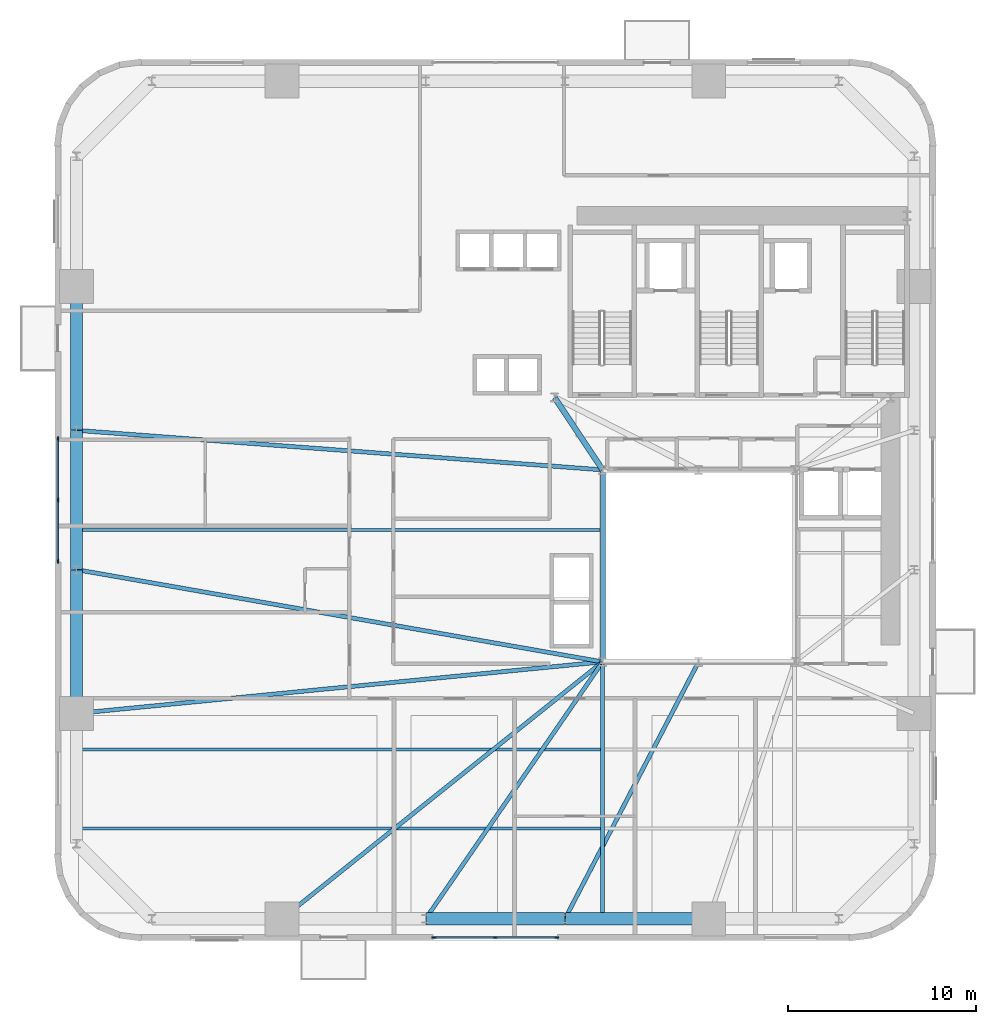
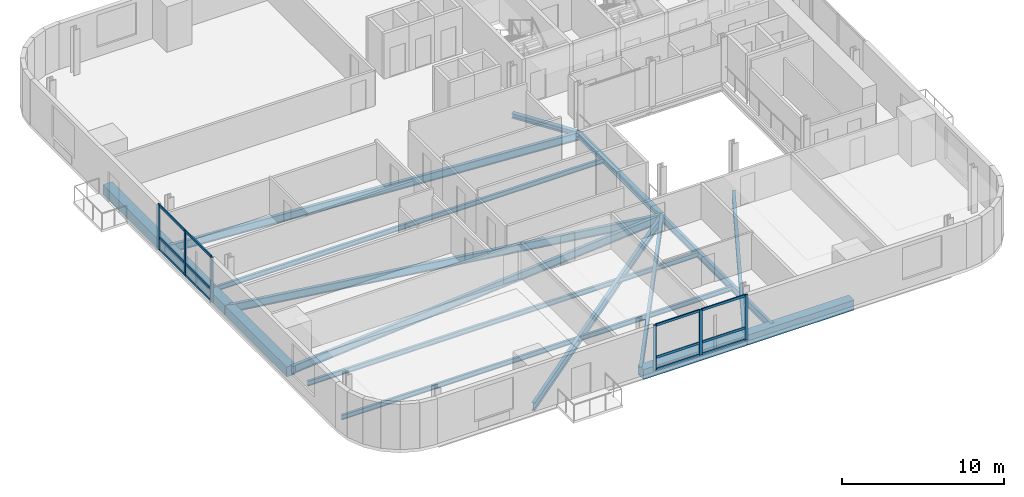
# One storey, part 2 of 13: 18 members, 17 beams, 2 elements without a shape of their own.
"""IFC4 building model written with IfcOpenShell, lengths in metres."""

from ifc_helpers import new_model, si_unit, direction, frame, origin, origin_2d, place, context, subcontext, project, spatial, rectangle, i_section, extrude, source, transform, mapped, material, material_profile, profile_set, type_object, element, aggregate, save


model = new_model("IFC4")

# Units and contexts
model_context = context("Model", 3, precision=1e-05, world=origin(), true_north=direction((0.0, 1.0)))
body_context = subcontext(model_context, "Body", "Model", "MODEL_VIEW")
ifc_project = project(units=[si_unit("LENGTHUNIT", "METRE"), si_unit("AREAUNIT", "SQUARE_METRE"), si_unit("VOLUMEUNIT", "CUBIC_METRE"), si_unit("PLANEANGLEUNIT", "RADIAN"), si_unit("MASSUNIT", "GRAM", prefix="KILO")], contexts=[model_context])

# Site, building, storey
site_placement = place(None, origin())
site = spatial("IfcSite", under=ifc_project, at=site_placement, CompositionType="ELEMENT")
building_placement = place(site_placement, origin())
building = spatial("IfcBuilding", under=site, at=building_placement, Name="Vardaveli Station Tower", CompositionType="ELEMENT")
storey_placement = place(building_placement, frame((0.0, 0.0, 34.89990234375)))
storey = spatial("IfcBuildingStorey", under=building, at=storey_placement, Name="L08", CompositionType="ELEMENT", Elevation=34.89990234375)

# Beams
ifc_material_1 = material(Name="Structural steel S355J2", Category="steel")
ifc_material_profile_1 = material_profile(ifc_material_1, i_section(OverallWidth=0.300048828125, OverallDepth=0.449951171875, WebThickness=0.013916015625, FlangeThickness=0.02587890625, FilletRadius=0.027099609375, at=origin_2d()), Name="HEB 450")
ifc_profile_set_1 = profile_set([ifc_material_profile_1], Name="Structural steel S355J2")
beam_type_1 = type_object("IfcBeamType", Name="BM-HEB450", PredefinedType="BEAM", material=ifc_profile_set_1)
shared_shape_1 = source(origin(), body_context, "Body", "SweptSolid", [
    extrude(i_section(OverallWidth=0.300048828125, OverallDepth=0.449951171875, WebThickness=0.013916015625, FlangeThickness=0.02587890625, FilletRadius=0.027099609375, at=origin_2d()), origin(), (0.0, 0.0, 1.0), 10.159912109375),
])
beam_1_placement = place(storey_placement, frame((31.199951171875, 26.780029296875, -0.46484375), z_axis=(0.0, -1.0, 0.0), x_axis=(1.0, 0.0, 0.0)))
element("IfcBeam", 1, at=beam_1_placement, inside=storey, type_object=beam_type_1, Name="ABM-L08-06", PredefinedType="BEAM", context=body_context, shape_type="MappedRepresentation", body=[
    mapped(shared_shape_1, transform((0.0, 0.0, 0.0), scale=1.0)),
])
ifc_material_profile_2 = material_profile(ifc_material_1, i_section(OverallWidth=0.300048828125, OverallDepth=0.360107421875, WebThickness=0.012451171875, FlangeThickness=0.0224609375, FilletRadius=0.027099609375, at=origin_2d()), Name="HEB 360")
ifc_profile_set_2 = profile_set([ifc_material_profile_2], Name="Structural steel S355J2")
beam_type_2 = type_object("IfcBeamType", Name="BM-HEB360", PredefinedType="BEAM", material=ifc_profile_set_2)
shared_shape_2 = source(origin(), body_context, "Body", "SweptSolid", [
    extrude(i_section(OverallWidth=0.300048828125, OverallDepth=0.360107421875, WebThickness=0.012451171875, FlangeThickness=0.0224609375, FilletRadius=0.027099609375, at=origin_2d()), origin(), (0.0, 0.0, 1.0), 4.577880859375),
])
beam_2_placement = place(storey_placement, frame((31.18896484375, 26.816650390625, -0.419921875), z_axis=(-0.55218702139, 0.833720272879, 0.0), x_axis=(-0.833720272879, -0.55218702139, 0.0)))
element("IfcBeam", 2, at=beam_2_placement, inside=storey, type_object=beam_type_2, Name="CBM-L08-01", PredefinedType="BEAM", context=body_context, shape_type="MappedRepresentation", body=[
    mapped(shared_shape_2, transform((0.0, 0.0, 0.0), scale=1.0)),
])
ifc_material_2 = material(Name="Precast concrete C45/55", Category="concrete")
ifc_material_profile_3 = material_profile(ifc_material_2, rectangle(XDim=0.64990234375, YDim=0.75, at=origin_2d()), Name="LPB 650x750")
ifc_profile_set_3 = profile_set([ifc_material_profile_3], Name="Precast concrete C45/55")
beam_type_3 = type_object("IfcBeamType", Name="BM-LPB-750", PredefinedType="BEAM", material=ifc_profile_set_3)
shared_shape_3 = source(origin(), body_context, "Body", "SweptSolid", [
    extrude(rectangle(XDim=0.64990234375, YDim=0.75, at=origin_2d()), origin(), (0.0, 0.0, 1.0), 7.60009765625),
])
for number, where, z_axis, x_axis, name in (
    (3, (29.219970703125, 2.949951171875, -0.614990234375), (1.0, 0.0, 0.0), (0.0, 1.0, 0.0), "RBM-L08-03"),
    (4, (3.25, 36.52001953125, -0.614990234375), (0.0, -1.0, 0.0), (1.0, 0.0, 0.0), "RBM-L08-19"),
    (5, (3.25, 21.47998046875, -0.614990234375), (0.0, -1.0, 0.0), (1.0, 0.0, 0.0), "RBM-L08-21"),
):
    element("IfcBeam", number, at=place(storey_placement, frame(where, z_axis=z_axis, x_axis=x_axis)), inside=storey, type_object=beam_type_3, Name=name, PredefinedType="BEAM", context=body_context, shape_type="MappedRepresentation", body=[
        mapped(shared_shape_3, transform((0.0, 0.0, 0.0), scale=1.0)),
    ])
shared_shape_4 = source(origin(), body_context, "Body", "SweptSolid", [
    extrude(rectangle(XDim=0.64990234375, YDim=0.75, at=origin_2d()), origin(), (0.0, 0.0, 1.0), 7.35986328125),
])
for number, where, z_axis, x_axis, name in (
    (6, (21.820068359375, 2.949951171875, -0.614990234375), (1.0, 0.0, 0.0), (0.0, 1.0, 0.0), "RBM-L08-02"),
    (7, (3.25, 28.8798828125, -0.614990234375), (0.0, -1.0, 0.0), (1.0, 0.0, 0.0), "RBM-L08-20"),
):
    element("IfcBeam", number, at=place(storey_placement, frame(where, z_axis=z_axis, x_axis=x_axis)), inside=storey, type_object=beam_type_3, Name=name, PredefinedType="BEAM", context=body_context, shape_type="MappedRepresentation", body=[
        mapped(shared_shape_4, transform((0.0, 0.0, 0.0), scale=1.0)),
    ])
ifc_material_profile_4 = material_profile(ifc_material_1, i_section(OverallWidth=0.219970703125, OverallDepth=0.60009765625, WebThickness=0.011962890625, FlangeThickness=0.01904296875, FilletRadius=0.02392578125, at=origin_2d()), Name="IPE 600")
ifc_profile_set_4 = profile_set([ifc_material_profile_4], Name="Structural steel S355J2")
beam_type_4 = type_object("IfcBeamType", Name="BM-IPE600", PredefinedType="BEAM", material=ifc_profile_set_4)
shared_shape_5 = source(origin(), body_context, "Body", "SweptSolid", [
    extrude(i_section(OverallWidth=0.219970703125, OverallDepth=0.60009765625, WebThickness=0.011962890625, FlangeThickness=0.01904296875, FilletRadius=0.02392578125, at=origin_2d()), origin(), (0.0, 0.0, 1.0), 21.793212890625),
])
beam_3_placement = place(storey_placement, frame((14.175537109375, 2.96240234375, -0.539794921875), z_axis=(0.780466445023, 0.625197671296, 0.0), x_axis=(-0.625197671296, 0.780466445023, 0.0)))
element("IfcBeam", 8, at=beam_3_placement, inside=storey, type_object=beam_type_4, Name="GBM-L08-01", PredefinedType="BEAM", context=body_context, shape_type="MappedRepresentation", body=[
    mapped(shared_shape_5, transform((0.0, 0.0, 0.0), scale=1.0)),
])
shared_shape_6 = source(origin(), body_context, "Body", "SweptSolid", [
    extrude(i_section(OverallWidth=0.219970703125, OverallDepth=0.60009765625, WebThickness=0.011962890625, FlangeThickness=0.01904296875, FilletRadius=0.02392578125, at=origin_2d()), origin(), (0.0, 0.0, 1.0), 16.533447265625),
])
beam_4_placement = place(storey_placement, frame((21.811279296875, 2.966552734375, -0.539794921875), z_axis=(0.567177272103, 0.823595739431, 0.0), x_axis=(-0.823595739431, 0.567177272103, 0.0)))
element("IfcBeam", 9, at=beam_4_placement, inside=storey, type_object=beam_type_4, Name="GBM-L08-02", PredefinedType="BEAM", context=body_context, shape_type="MappedRepresentation", body=[
    mapped(shared_shape_6, transform((0.0, 0.0, 0.0), scale=1.0)),
])
shared_shape_7 = source(origin(), body_context, "Body", "SweptSolid", [
    extrude(i_section(OverallWidth=0.219970703125, OverallDepth=0.60009765625, WebThickness=0.011962890625, FlangeThickness=0.01904296875, FilletRadius=0.02392578125, at=origin_2d()), origin(), (0.0, 0.0, 1.0), 15.34619140625),
])
beam_5_placement = place(storey_placement, frame((29.209228515625, 2.9677734375, -0.539794921875), z_axis=(0.461455420507, 0.887163398075, 0.0), x_axis=(-0.887163398075, 0.461455420507, 0.0)))
element("IfcBeam", 10, at=beam_5_placement, inside=storey, type_object=beam_type_4, Name="GBM-L08-03", PredefinedType="BEAM", context=body_context, shape_type="MappedRepresentation", body=[
    mapped(shared_shape_7, transform((0.0, 0.0, 0.0), scale=1.0)),
])
shared_shape_8 = source(origin(), body_context, "Body", "SweptSolid", [
    extrude(i_section(OverallWidth=0.219970703125, OverallDepth=0.60009765625, WebThickness=0.011962890625, FlangeThickness=0.01904296875, FilletRadius=0.02392578125, at=origin_2d()), origin(), (0.0, 0.0, 1.0), 27.98876953125),
])
beam_6_placement = place(storey_placement, frame((3.27001953125, 28.8984375, -0.539794921875), z_axis=(0.99718954315, -0.074920057611, 0.0), x_axis=(0.074920057611, 0.99718954315, 0.0)))
element("IfcBeam", 11, at=beam_6_placement, inside=storey, type_object=beam_type_4, Name="GBM-L08-08", PredefinedType="BEAM", context=body_context, shape_type="MappedRepresentation", body=[
    mapped(shared_shape_8, transform((0.0, 0.0, 0.0), scale=1.0)),
])
shared_shape_9 = source(origin(), body_context, "Body", "SweptSolid", [
    extrude(i_section(OverallWidth=0.219970703125, OverallDepth=0.60009765625, WebThickness=0.011962890625, FlangeThickness=0.01904296875, FilletRadius=0.02392578125, at=origin_2d()), origin(), (0.0, 0.0, 1.0), 28.33642578125),
])
beam_7_placement = place(storey_placement, frame((3.269775390625, 21.49658203125, -0.539794921875), z_axis=(0.984978267336, -0.172678350921, 0.0), x_axis=(0.172678350921, 0.984978267336, 0.0)))
element("IfcBeam", 12, at=beam_7_placement, inside=storey, type_object=beam_type_4, Name="GBM-L08-09", PredefinedType="BEAM", context=body_context, shape_type="MappedRepresentation", body=[
    mapped(shared_shape_9, transform((0.0, 0.0, 0.0), scale=1.0)),
])
shared_shape_10 = source(origin(), body_context, "Body", "SweptSolid", [
    extrude(i_section(OverallWidth=0.219970703125, OverallDepth=0.60009765625, WebThickness=0.011962890625, FlangeThickness=0.01904296875, FilletRadius=0.02392578125, at=origin_2d()), origin(), (0.0, 0.0, 1.0), 28.0439453125),
])
beam_8_placement = place(storey_placement, frame((3.27001953125, 13.862060546875, -0.539794921875), z_axis=(0.995229237856, 0.097564153855, 0.0), x_axis=(-0.097564153855, 0.995229237856, 0.0)))
element("IfcBeam", 13, at=beam_8_placement, inside=storey, type_object=beam_type_4, Name="GBM-L08-10", PredefinedType="BEAM", context=body_context, shape_type="MappedRepresentation", body=[
    mapped(shared_shape_10, transform((0.0, 0.0, 0.0), scale=1.0)),
])
ifc_material_profile_5 = material_profile(ifc_material_1, i_section(OverallWidth=0.2099609375, OverallDepth=0.550048828125, WebThickness=0.010986328125, FlangeThickness=0.01708984375, FilletRadius=0.02392578125, at=origin_2d()), Name="IPE 550")
ifc_profile_set_5 = profile_set([ifc_material_profile_5], Name="Structural steel S355J2")
beam_type_5 = type_object("IfcBeamType", Name="BM-IPE550", PredefinedType="BEAM", material=ifc_profile_set_5)
shared_shape_11 = source(origin(), body_context, "Body", "SweptSolid", [
    extrude(i_section(OverallWidth=0.2099609375, OverallDepth=0.550048828125, WebThickness=0.010986328125, FlangeThickness=0.01708984375, FilletRadius=0.02392578125, at=origin_2d()), origin(), (0.0, 0.0, 1.0), 13.469970703125),
])
beam_9_placement = place(storey_placement, frame((31.199951171875, 2.989990234375, -0.514892578125), z_axis=(0.0, 1.0, 0.0), x_axis=(-1.0, 0.0, 0.0)))
element("IfcBeam", 14, at=beam_9_placement, inside=storey, type_object=beam_type_5, Name="NSM-L08-S1", PredefinedType="BEAM", context=body_context, shape_type="MappedRepresentation", body=[
    mapped(shared_shape_11, transform((0.0, 0.0, 0.0), scale=1.0)),
])
ifc_material_profile_6 = material_profile(ifc_material_1, i_section(OverallWidth=0.169921875, OverallDepth=0.360107421875, WebThickness=0.008056640625, FlangeThickness=0.0126953125, FilletRadius=0.01806640625, at=origin_2d()), Name="IPE 360")
ifc_profile_set_6 = profile_set([ifc_material_profile_6], Name="Structural steel S355J2")
beam_type_6 = type_object("IfcBeamType", Name="BM-IPE360", PredefinedType="JOIST", material=ifc_profile_set_6)
shared_shape_12 = source(origin(), body_context, "Body", "SweptSolid", [
    extrude(i_section(OverallWidth=0.169921875, OverallDepth=0.360107421875, WebThickness=0.008056640625, FlangeThickness=0.0126953125, FilletRadius=0.01806640625, at=origin_2d()), origin(), (0.0, 0.0, 1.0), 27.7978515625),
])
for number, where, z_axis, x_axis, name in (
    (15, (3.2900390625, 7.75, -0.419921875), (1.0, 0.0, 0.0), (0.0, 1.0, 0.0), "SJ-L08-S01"),
    (16, (3.2900390625, 11.949951171875, -0.419921875), (1.0, 0.0, 0.0), (0.0, 1.0, 0.0), "SJ-L08-S04"),
    (17, (3.2900390625, 23.60009765625, -0.419921875), (1.0, 0.0, 0.0), (0.0, 1.0, 0.0), "SJ-L08-W08"),
):
    element("IfcBeam", number, at=place(storey_placement, frame(where, z_axis=z_axis, x_axis=x_axis)), inside=storey, type_object=beam_type_6, Name=name, PredefinedType="JOIST", context=body_context, shape_type="MappedRepresentation", body=[
        mapped(shared_shape_12, transform((0.0, 0.0, 0.0), scale=1.0)),
    ])

# Curtain wall, members
ifc_material_3 = material(Name="Travertine stone and solar-control glass", Category="masonry")
curtain_wall_type = type_object("IfcCurtainWallType", Name="CW-SYS-2", PredefinedType="NOTDEFINED", material=ifc_material_3)
curtain_wall_1_placement = place(storey_placement, origin())
curtain_wall_1 = element("IfcCurtainWall", 18, at=curtain_wall_1_placement, inside=storey, type_object=curtain_wall_type, Name="CW-L08-S", PredefinedType="NOTDEFINED")
ifc_material_4 = material(Name="Anodised aluminium alloy 6063-T6", Category="aluminium")
ifc_material_profile_7 = material_profile(ifc_material_4, rectangle(XDim=0.0849609375, YDim=0.179931640625, at=origin_2d()), Name="CWT 85x180")
ifc_profile_set_7 = profile_set([ifc_material_profile_7], Name="Anodised aluminium alloy 6063-T6")
member_type_1 = type_object("IfcMemberType", Name="CW-SYS-2-TRAN", PredefinedType="NOTDEFINED", material=ifc_profile_set_7)
shared_shape_13 = source(origin(), body_context, "Body", "SweptSolid", [
    extrude(rectangle(XDim=0.0849609375, YDim=0.179931640625, at=origin_2d()), origin(), (0.0, 0.0, 1.0), 3.172607421875),
])
member_1_placement = place(storey_placement, frame((22.284912109375, 1.9599609375, 0.04248046875), z_axis=(1.0, 0.0, 0.0), x_axis=(0.0, 1.0, 0.0)))
member_1 = element("IfcMember", 19, at=member_1_placement, type_object=member_type_1, Name="CW-2 transom 1.1", ObjectType="TRANSOM", PredefinedType="USERDEFINED", context=body_context, shape_type="MappedRepresentation", body=[
    mapped(shared_shape_13, transform((0.0, 0.0, 0.0), scale=1.0)),
])
member_2_placement = place(storey_placement, frame((22.284912109375, 1.9599609375, 0.9501953125), z_axis=(1.0, 0.0, 0.0), x_axis=(0.0, 1.0, 0.0)))
member_2 = element("IfcMember", 20, at=member_2_placement, type_object=member_type_1, Name="CW-2 transom 1.2", ObjectType="TRANSOM", PredefinedType="USERDEFINED", context=body_context, shape_type="MappedRepresentation", body=[
    mapped(shared_shape_13, transform((0.0, 0.0, 0.0), scale=1.0)),
])
member_3_placement = place(storey_placement, frame((22.284912109375, 1.9599609375, 3.36767578125), z_axis=(1.0, 0.0, 0.0), x_axis=(0.0, 1.0, 0.0)))
member_3 = element("IfcMember", 21, at=member_3_placement, type_object=member_type_1, Name="CW-2 transom 1.3", ObjectType="TRANSOM", PredefinedType="USERDEFINED", context=body_context, shape_type="MappedRepresentation", body=[
    mapped(shared_shape_13, transform((0.0, 0.0, 0.0), scale=1.0)),
])
member_4_placement = place(storey_placement, frame((25.54248046875, 1.9599609375, 0.04248046875), z_axis=(1.0, 0.0, 0.0), x_axis=(0.0, 1.0, 0.0)))
member_4 = element("IfcMember", 22, at=member_4_placement, type_object=member_type_1, Name="CW-2 transom 2.1", ObjectType="TRANSOM", PredefinedType="USERDEFINED", context=body_context, shape_type="MappedRepresentation", body=[
    mapped(shared_shape_13, transform((0.0, 0.0, 0.0), scale=1.0)),
])
member_5_placement = place(storey_placement, frame((25.54248046875, 1.9599609375, 0.9501953125), z_axis=(1.0, 0.0, 0.0), x_axis=(0.0, 1.0, 0.0)))
member_5 = element("IfcMember", 23, at=member_5_placement, type_object=member_type_1, Name="CW-2 transom 2.2", ObjectType="TRANSOM", PredefinedType="USERDEFINED", context=body_context, shape_type="MappedRepresentation", body=[
    mapped(shared_shape_13, transform((0.0, 0.0, 0.0), scale=1.0)),
])
member_6_placement = place(storey_placement, frame((25.54248046875, 1.9599609375, 3.36767578125), z_axis=(1.0, 0.0, 0.0), x_axis=(0.0, 1.0, 0.0)))
member_6 = element("IfcMember", 24, at=member_6_placement, type_object=member_type_1, Name="CW-2 transom 2.3", ObjectType="TRANSOM", PredefinedType="USERDEFINED", context=body_context, shape_type="MappedRepresentation", body=[
    mapped(shared_shape_13, transform((0.0, 0.0, 0.0), scale=1.0)),
])

curtain_wall_2_placement = place(storey_placement, origin())
curtain_wall_2 = element("IfcCurtainWall", 25, at=curtain_wall_2_placement, inside=storey, type_object=curtain_wall_type, Name="CW-L08-W", PredefinedType="NOTDEFINED")
member_7_placement = place(storey_placement, frame((2.260009765625, 28.4150390625, 0.04248046875), z_axis=(0.0, -1.0, 0.0), x_axis=(1.0, 0.0, 0.0)))
member_7 = element("IfcMember", 26, at=member_7_placement, type_object=member_type_1, Name="CW-2 transom 1.1", ObjectType="TRANSOM", PredefinedType="USERDEFINED", context=body_context, shape_type="MappedRepresentation", body=[
    mapped(shared_shape_13, transform((0.0, 0.0, 0.0), scale=1.0)),
])
member_8_placement = place(storey_placement, frame((2.260009765625, 28.4150390625, 0.9501953125), z_axis=(0.0, -1.0, 0.0), x_axis=(1.0, 0.0, 0.0)))
member_8 = element("IfcMember", 27, at=member_8_placement, type_object=member_type_1, Name="CW-2 transom 1.2", ObjectType="TRANSOM", PredefinedType="USERDEFINED", context=body_context, shape_type="MappedRepresentation", body=[
    mapped(shared_shape_13, transform((0.0, 0.0, 0.0), scale=1.0)),
])
member_9_placement = place(storey_placement, frame((2.260009765625, 28.4150390625, 3.36767578125), z_axis=(0.0, -1.0, 0.0), x_axis=(1.0, 0.0, 0.0)))
member_9 = element("IfcMember", 28, at=member_9_placement, type_object=member_type_1, Name="CW-2 transom 1.3", ObjectType="TRANSOM", PredefinedType="USERDEFINED", context=body_context, shape_type="MappedRepresentation", body=[
    mapped(shared_shape_13, transform((0.0, 0.0, 0.0), scale=1.0)),
])
shared_shape_14 = source(origin(), body_context, "Body", "SweptSolid", [
    extrude(rectangle(XDim=0.0849609375, YDim=0.179931640625, at=origin_2d()), origin(), (0.0, 0.0, 1.0), 3.17236328125),
])
member_10_placement = place(storey_placement, frame((2.260009765625, 25.157470703125, 0.04248046875), z_axis=(0.0, -1.0, 0.0), x_axis=(1.0, 0.0, 0.0)))
member_10 = element("IfcMember", 29, at=member_10_placement, type_object=member_type_1, Name="CW-2 transom 2.1", ObjectType="TRANSOM", PredefinedType="USERDEFINED", context=body_context, shape_type="MappedRepresentation", body=[
    mapped(shared_shape_14, transform((0.0, 0.0, 0.0), scale=1.0)),
])
member_11_placement = place(storey_placement, frame((2.260009765625, 25.157470703125, 0.9501953125), z_axis=(0.0, -1.0, 0.0), x_axis=(1.0, 0.0, 0.0)))
member_11 = element("IfcMember", 30, at=member_11_placement, type_object=member_type_1, Name="CW-2 transom 2.2", ObjectType="TRANSOM", PredefinedType="USERDEFINED", context=body_context, shape_type="MappedRepresentation", body=[
    mapped(shared_shape_14, transform((0.0, 0.0, 0.0), scale=1.0)),
])
member_12_placement = place(storey_placement, frame((2.260009765625, 25.157470703125, 3.36767578125), z_axis=(0.0, -1.0, 0.0), x_axis=(1.0, 0.0, 0.0)))
member_12 = element("IfcMember", 31, at=member_12_placement, type_object=member_type_1, Name="CW-2 transom 2.3", ObjectType="TRANSOM", PredefinedType="USERDEFINED", context=body_context, shape_type="MappedRepresentation", body=[
    mapped(shared_shape_14, transform((0.0, 0.0, 0.0), scale=1.0)),
])

# Member
ifc_material_profile_8 = material_profile(ifc_material_4, rectangle(XDim=0.0849609375, YDim=0.219970703125, at=origin_2d()), Name="CWM 85x220")
ifc_profile_set_8 = profile_set([ifc_material_profile_8], Name="Anodised aluminium alloy 6063-T6")
member_type_2 = type_object("IfcMemberType", Name="CW-SYS-2-MULL", PredefinedType="MULLION", material=ifc_profile_set_8)
shared_shape_15 = source(origin(), body_context, "Body", "SweptSolid", [
    extrude(rectangle(XDim=0.0849609375, YDim=0.219970703125, at=origin_2d()), origin(), (0.0, 0.0, 1.0), 3.41015625),
])
member_13_placement = place(storey_placement, frame((22.242431640625, 1.9599609375, 0.0), z_axis=(0.0, 0.0, 1.0), x_axis=(0.0, 1.0, 0.0)))
member_13 = element("IfcMember", 32, at=member_13_placement, type_object=member_type_2, Name="CW-2 mullion 1", PredefinedType="MULLION", context=body_context, shape_type="MappedRepresentation", body=[
    mapped(shared_shape_15, transform((0.0, 0.0, 0.0), scale=1.0)),
])

member_14_placement = place(storey_placement, frame((25.5, 1.9599609375, 0.0), z_axis=(0.0, 0.0, 1.0), x_axis=(0.0, 1.0, 0.0)))
member_14 = element("IfcMember", 33, at=member_14_placement, type_object=member_type_2, Name="CW-2 mullion 2", PredefinedType="MULLION", context=body_context, shape_type="MappedRepresentation", body=[
    mapped(shared_shape_15, transform((0.0, 0.0, 0.0), scale=1.0)),
])

member_15_placement = place(storey_placement, frame((28.757568359375, 1.9599609375, 0.0), z_axis=(0.0, 0.0, 1.0), x_axis=(0.0, 1.0, 0.0)))
member_15 = element("IfcMember", 34, at=member_15_placement, type_object=member_type_2, Name="CW-2 mullion 3", PredefinedType="MULLION", context=body_context, shape_type="MappedRepresentation", body=[
    mapped(shared_shape_15, transform((0.0, 0.0, 0.0), scale=1.0)),
])

aggregate(curtain_wall_1, [member_13, member_14, member_15, member_1, member_2, member_3, member_4, member_5, member_6])

member_16_placement = place(storey_placement, frame((2.260009765625, 28.45751953125, 0.0), z_axis=(0.0, 0.0, 1.0), x_axis=(1.0, 0.0, 0.0)))
member_16 = element("IfcMember", 35, at=member_16_placement, type_object=member_type_2, Name="CW-2 mullion 1", PredefinedType="MULLION", context=body_context, shape_type="MappedRepresentation", body=[
    mapped(shared_shape_15, transform((0.0, 0.0, 0.0), scale=1.0)),
])

member_17_placement = place(storey_placement, frame((2.260009765625, 25.199951171875, 0.0), z_axis=(0.0, 0.0, 1.0), x_axis=(1.0, 0.0, 0.0)))
member_17 = element("IfcMember", 36, at=member_17_placement, type_object=member_type_2, Name="CW-2 mullion 2", PredefinedType="MULLION", context=body_context, shape_type="MappedRepresentation", body=[
    mapped(shared_shape_15, transform((0.0, 0.0, 0.0), scale=1.0)),
])

member_18_placement = place(storey_placement, frame((2.260009765625, 21.9423828125, 0.0), z_axis=(0.0, 0.0, 1.0), x_axis=(1.0, 0.0, 0.0)))
member_18 = element("IfcMember", 37, at=member_18_placement, type_object=member_type_2, Name="CW-2 mullion 3", PredefinedType="MULLION", context=body_context, shape_type="MappedRepresentation", body=[
    mapped(shared_shape_15, transform((0.0, 0.0, 0.0), scale=1.0)),
])

aggregate(curtain_wall_2, [member_16, member_17, member_18, member_7, member_8, member_9, member_10, member_11, member_12])

save(model, "model.ifc")
